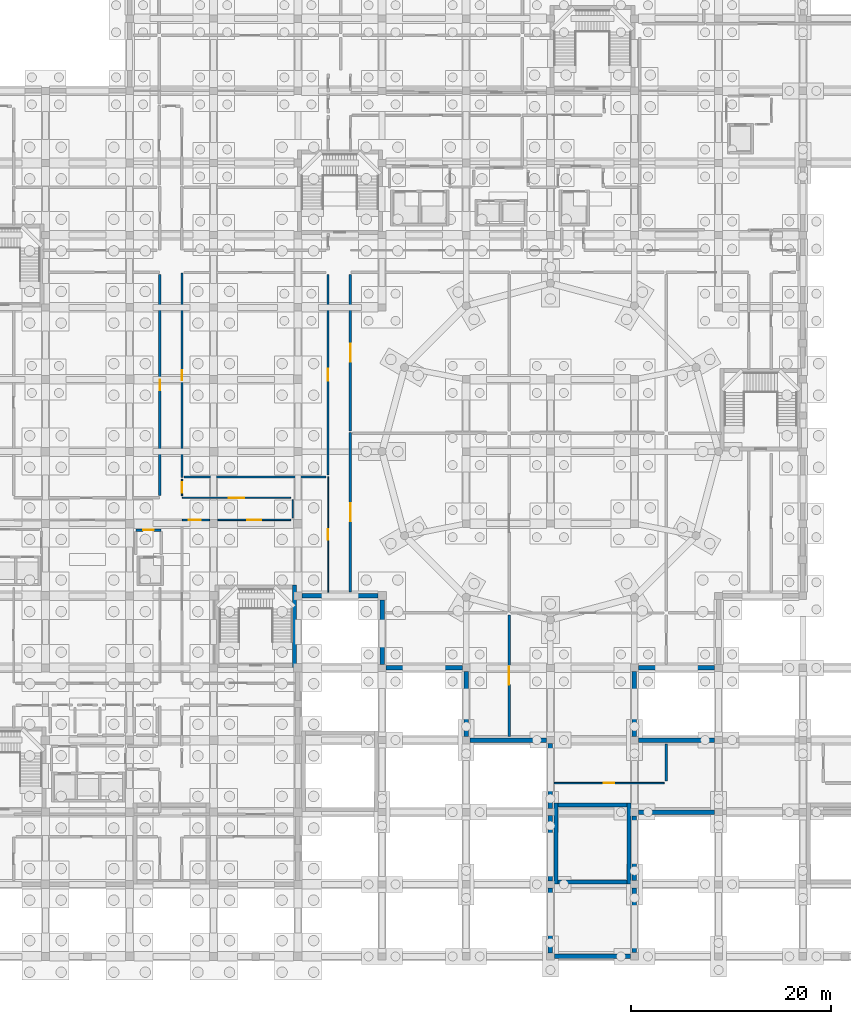
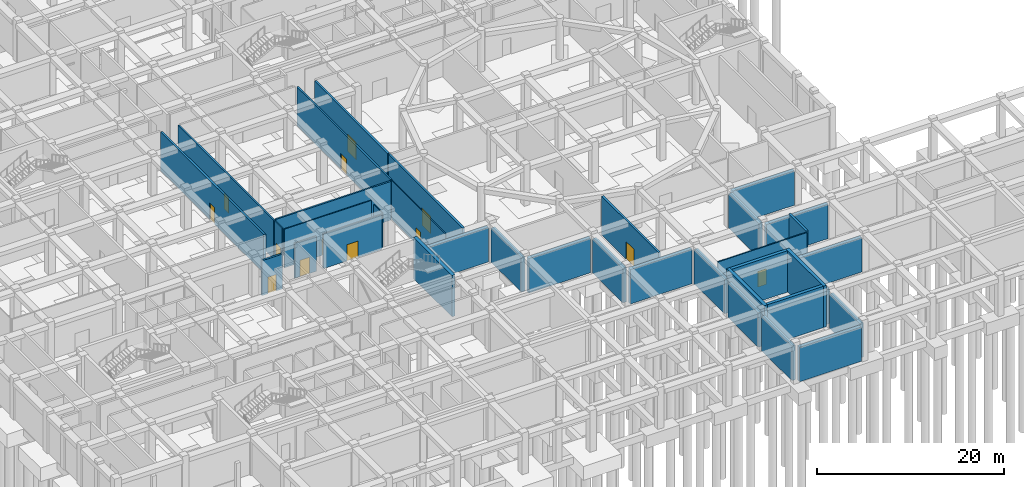
# One storey, part 19 of 32: 36 walls, 13 doors, 13 openings.
"""IFC4 building model written with IfcOpenShell, lengths in metres."""

from ifc_helpers import new_model, si_unit, derived_unit, direction, frame, frame_2d, origin, place, context, subcontext, project, spatial, rectangle, extrude, material, layer, layer_set, type_object, element, fill, save


model = new_model("IFC4")

# Units and contexts
model_context = context("Model", 3, precision=1e-05, world=origin(), true_north=direction((0.0, 1.0)))
body_context = subcontext(model_context, "Body", "Model", "MODEL_VIEW")
ifc_project = project(units=[si_unit("LENGTHUNIT", "METRE"), si_unit("AREAUNIT", "SQUARE_METRE"), si_unit("VOLUMEUNIT", "CUBIC_METRE"), si_unit("PLANEANGLEUNIT", "RADIAN"), si_unit("MASSUNIT", "GRAM", prefix="KILO"), derived_unit("THERMALTRANSMITTANCEUNIT", [(si_unit("POWERUNIT", "WATT"), 1), (si_unit("LENGTHUNIT", "METRE"), -2), (si_unit("THERMODYNAMICTEMPERATUREUNIT", "KELVIN"), -1)])], contexts=[model_context])

# Site, building, storey
site_placement = place(None, origin())
site = spatial("IfcSite", under=ifc_project, at=site_placement, CompositionType="ELEMENT")
building_placement = place(site_placement, origin())
building = spatial("IfcBuilding", under=site, at=building_placement, Name="Veybourne Emporium", CompositionType="ELEMENT")
storey_placement = place(building_placement, frame((0.0, 0.0, -5.39990234375)))
storey = spatial("IfcBuildingStorey", under=building, at=storey_placement, Name="B1", CompositionType="ELEMENT", Elevation=-5.39990234375)

# Walls
ifc_material_1 = material(Name="Concrete C40/50", Category="concrete")
ifc_layer_1 = layer(ifc_material_1, 0.449951171875)
ifc_layer_set_1 = layer_set([ifc_layer_1], Name="Concrete C40/50")
wall_type_1 = type_object("IfcWallType", Name="ExtWall_RW-01", PredefinedType="USERDEFINED", material=ifc_layer_set_1)
wall_1_placement = place(storey_placement, frame((58.375, 36.0, 0.0), z_axis=(0.0, 0.0, 1.0), x_axis=(-1.0, 0.0, 0.0)))
element("IfcWall", 1, at=wall_1_placement, inside=storey, type_object=wall_type_1, Name="Basement perimeter retaining wall 031", ObjectType="RETAININGWALL", PredefinedType="USERDEFINED", context=body_context, shape_type="SweptSolid", body=[
    extrude(rectangle(XDim=7.574951171875, YDim=0.449951171875, at=frame_2d((3.78759765625, 0.0))), origin(), (0.0, 0.0, 1.0), 4.5),
])
wall_2_placement = place(storey_placement, frame((66.824951171875, 28.800048828125, 0.0), z_axis=(0.0, 0.0, 1.0), x_axis=(-1.0, 0.0, 0.0)))
element("IfcWall", 2, at=wall_2_placement, inside=storey, type_object=wall_type_1, Name="Basement perimeter retaining wall 033", ObjectType="RETAININGWALL", PredefinedType="USERDEFINED", context=body_context, shape_type="SweptSolid", body=[
    extrude(rectangle(XDim=7.625, YDim=0.449951171875, at=frame_2d((3.8125, 0.0))), origin(), (0.0, 0.0, 1.0), 4.5),
])
wall_3_placement = place(storey_placement, frame((58.800048828125, 29.14990234375, 0.0), z_axis=(0.0, 0.0, 1.0), x_axis=(0.0, 1.0, 0.0)))
element("IfcWall", 3, at=wall_3_placement, inside=storey, type_object=wall_type_1, Name="Basement perimeter retaining wall 034", ObjectType="RETAININGWALL", PredefinedType="USERDEFINED", context=body_context, shape_type="SweptSolid", body=[
    extrude(rectangle(XDim=6.425048828125, YDim=0.449951171875, at=frame_2d((3.21240234375, 0.0))), origin(), (0.0, 0.0, 1.0), 4.5),
])
wall_4_placement = place(storey_placement, frame((75.199951171875, 21.60009765625, 0.0), z_axis=(0.0, 0.0, 1.0), x_axis=(-1.0, 0.0, 0.0)))
element("IfcWall", 4, at=wall_4_placement, inside=storey, type_object=wall_type_1, Name="Basement perimeter retaining wall 036", ObjectType="RETAININGWALL", PredefinedType="USERDEFINED", context=body_context, shape_type="SweptSolid", body=[
    extrude(rectangle(XDim=7.625, YDim=0.449951171875, at=frame_2d((3.8125, 0.0))), origin(), (0.0, 0.0, 1.0), 4.5),
])
wall_5_placement = place(storey_placement, frame((67.199951171875, 21.97509765625, 0.0), z_axis=(0.0, 0.0, 1.0), x_axis=(0.0, 1.0, 0.0)))
element("IfcWall", 5, at=wall_5_placement, inside=storey, type_object=wall_type_1, Name="Basement perimeter retaining wall 037", ObjectType="RETAININGWALL", PredefinedType="USERDEFINED", context=body_context, shape_type="SweptSolid", body=[
    extrude(rectangle(XDim=6.449951171875, YDim=0.449951171875, at=frame_2d((3.22509765625, 0.0))), origin(), (0.0, 0.0, 1.0), 4.5),
])
wall_6_placement = place(storey_placement, frame((83.625, 0.0, 0.0), z_axis=(0.0, 0.0, 1.0), x_axis=(-1.0, 0.0, 0.0)))
element("IfcWall", 6, at=wall_6_placement, inside=storey, type_object=wall_type_1, Name="Basement perimeter retaining wall 039", ObjectType="RETAININGWALL", PredefinedType="USERDEFINED", context=body_context, shape_type="SweptSolid", body=[
    extrude(rectangle(XDim=7.625, YDim=0.449951171875, at=frame_2d((3.8125, 0.0))), origin(), (0.0, 0.0, 1.0), 4.5),
])
wall_7_placement = place(storey_placement, frame((84.0, 6.824951171875, 0.0), z_axis=(0.0, 0.0, 1.0), x_axis=(0.0, -1.0, 0.0)))
element("IfcWall", 7, at=wall_7_placement, inside=storey, type_object=wall_type_1, Name="Basement perimeter retaining wall 040", ObjectType="RETAININGWALL", PredefinedType="USERDEFINED", context=body_context, shape_type="SweptSolid", body=[
    extrude(rectangle(XDim=6.449951171875, YDim=0.449951171875, at=frame_2d((3.22509765625, 0.0))), origin(), (0.0, 0.0, 1.0), 4.5),
])
wall_8_placement = place(storey_placement, frame((75.60009765625, 0.35009765625, 0.0), z_axis=(0.0, 0.0, 1.0), x_axis=(0.0, 1.0, 0.0)))
element("IfcWall", 8, at=wall_8_placement, inside=storey, type_object=wall_type_1, Name="Basement perimeter retaining wall 041", ObjectType="RETAININGWALL", PredefinedType="USERDEFINED", context=body_context, shape_type="SweptSolid", body=[
    extrude(rectangle(XDim=6.5, YDim=0.449951171875, at=frame_2d((3.25, 0.0))), origin(), (0.0, 0.0, 1.0), 4.5),
])
wall_9_placement = place(storey_placement, frame((84.0, 14.02490234375, 0.0), z_axis=(0.0, 0.0, 1.0), x_axis=(0.0, -1.0, 0.0)))
element("IfcWall", 9, at=wall_9_placement, inside=storey, type_object=wall_type_1, Name="Basement perimeter retaining wall 042", ObjectType="RETAININGWALL", PredefinedType="USERDEFINED", context=body_context, shape_type="SweptSolid", body=[
    extrude(rectangle(XDim=6.449951171875, YDim=0.449951171875, at=frame_2d((3.22509765625, 0.0))), origin(), (0.0, 0.0, 1.0), 4.5),
])
for number, where, z_axis, x_axis, name in (
    (10, (75.60009765625, 7.550048828125, 0.0), (0.0, 0.0, 1.0), (0.0, 1.0, 0.0), "Basement perimeter retaining wall 043"),
    (11, (75.60009765625, 14.75, 0.0), (0.0, 0.0, 1.0), (0.0, 1.0, 0.0), "Basement perimeter retaining wall 044"),
):
    element("IfcWall", number, at=place(storey_placement, frame(where, z_axis=z_axis, x_axis=x_axis)), inside=storey, type_object=wall_type_1, Name=name, ObjectType="RETAININGWALL", PredefinedType="USERDEFINED", context=body_context, shape_type="SweptSolid", body=[
        extrude(rectangle(XDim=6.5, YDim=0.449951171875, at=frame_2d((3.25, 0.0))), origin(), (0.0, 0.0, 1.0), 4.5),
    ])
wall_10_placement = place(storey_placement, frame((84.0, 28.425048828125, 0.0), z_axis=(0.0, 0.0, 1.0), x_axis=(0.0, -1.0, 0.0)))
element("IfcWall", 12, at=wall_10_placement, inside=storey, type_object=wall_type_1, Name="Basement perimeter retaining wall 045", ObjectType="RETAININGWALL", PredefinedType="USERDEFINED", context=body_context, shape_type="SweptSolid", body=[
    extrude(rectangle(XDim=6.449951171875, YDim=0.449951171875, at=frame_2d((3.22509765625, 0.0))), origin(), (0.0, 0.0, 1.0), 4.5),
])
for number, where, z_axis, x_axis, name in (
    (13, (92.0, 14.39990234375, 0.0), (0.0, 0.0, 1.0), (-1.0, 0.0, 0.0), "Basement perimeter retaining wall 047"),
    (14, (84.375, 21.60009765625, 0.0), (0.0, 0.0, 1.0), (1.0, 0.0, 0.0), "Basement perimeter retaining wall 048"),
    (15, (92.0, 28.800048828125, 0.0), (0.0, 0.0, 1.0), (-1.0, 0.0, 0.0), "Basement perimeter retaining wall 049"),
):
    element("IfcWall", number, at=place(storey_placement, frame(where, z_axis=z_axis, x_axis=x_axis)), inside=storey, type_object=wall_type_1, Name=name, ObjectType="RETAININGWALL", PredefinedType="USERDEFINED", context=body_context, shape_type="SweptSolid", body=[
        extrude(rectangle(XDim=7.625, YDim=0.449951171875, at=frame_2d((3.8125, 0.0))), origin(), (0.0, 0.0, 1.0), 4.5),
    ])
ifc_layer_2 = layer(ifc_material_1, 0.39990234375)
ifc_layer_set_2 = layer_set([ifc_layer_2], Name="Concrete C40/50")
wall_type_2 = type_object("IfcWallType", Name="IntWall_CW-01", PredefinedType="SHEAR", material=ifc_layer_set_2)
wall_11_placement = place(storey_placement, frame((50.050048828125, 28.85009765625, 0.0), z_axis=(0.0, 0.0, 1.0), x_axis=(0.0, 1.0, 0.0)))
element("IfcWall", 16, at=wall_11_placement, inside=storey, type_object=wall_type_2, Name="Core stair ST-05 east shear wall (B1)", PredefinedType="SHEAR", context=body_context, shape_type="SweptSolid", body=[
    extrude(rectangle(XDim=8.25, YDim=0.39990234375, at=frame_2d((4.125, 0.0))), origin(), (0.0, 0.0, 1.0), 5.39990234375),
])
for number, where, z_axis, x_axis, name in (
    (17, (83.25, 7.449951171875, 0.0), (0.0, 0.0, 1.0), (-1.0, 0.0, 0.0), "Core stair ST-10 south shear wall (B1)"),
    (18, (76.35009765625, 15.10009765625, 0.0), (0.0, 0.0, 1.0), (1.0, 0.0, 0.0), "Core stair ST-10 north shear wall (B1)"),
):
    element("IfcWall", number, at=place(storey_placement, frame(where, z_axis=z_axis, x_axis=x_axis)), inside=storey, type_object=wall_type_2, Name=name, PredefinedType="SHEAR", context=body_context, shape_type="SweptSolid", body=[
        extrude(rectangle(XDim=6.89990234375, YDim=0.39990234375, at=frame_2d((3.449951171875, 0.0))), origin(), (0.0, 0.0, 1.0), 5.39990234375),
    ])
for number, where, z_axis, x_axis, name in (
    (19, (76.14990234375, 15.300048828125, 0.0), (0.0, 0.0, 1.0), (0.0, -1.0, 0.0), "Core stair ST-10 west shear wall (B1)"),
    (20, (83.449951171875, 7.25, 0.0), (0.0, 0.0, 1.0), (0.0, 1.0, 0.0), "Core stair ST-10 east shear wall (B1)"),
):
    element("IfcWall", number, at=place(storey_placement, frame(where, z_axis=z_axis, x_axis=x_axis)), inside=storey, type_object=wall_type_2, Name=name, PredefinedType="SHEAR", context=body_context, shape_type="SweptSolid", body=[
        extrude(rectangle(XDim=8.050048828125, YDim=0.39990234375, at=frame_2d((4.02490234375, 0.0))), origin(), (0.0, 0.0, 1.0), 5.39990234375),
    ])

# Wall, opening, door
ifc_material_2 = material(Name="Concrete C32/40", Category="concrete")
ifc_layer_3 = layer(ifc_material_2, 0.25)
ifc_layer_set_3 = layer_set([ifc_layer_3], Name="Concrete C32/40")
wall_type_3 = type_object("IfcWallType", Name="IntWall_FW-01", PredefinedType="SOLIDWALL", material=ifc_layer_set_3)
wall_12_placement = place(storey_placement, frame((36.6201171875, 45.989990234375, 0.0), z_axis=(0.0, 0.0, 1.0), x_axis=(0.0, 1.0, 0.0)))
wall_12 = element("IfcWall", 21, at=wall_12_placement, inside=storey, type_object=wall_type_3, Name="B1 interior partition FW-01 #001", PredefinedType="SOLIDWALL", context=body_context, shape_type="SweptSolid", body=[
    extrude(rectangle(XDim=22.070068359375, YDim=0.25, at=frame_2d((11.03515625, 0.0))), origin(), (0.0, 0.0, 1.0), 5.0498046875),
])
opening_1_placement = place(wall_12_placement, frame((10.510009765625, 0.0, 0.0)))
opening_1 = element("IfcOpeningElement", 22, at=opening_1_placement, cuts=wall_12, Name="Opening FD-02", PredefinedType="OPENING", context=body_context, shape_type="SweptSolid", body=[
    extrude(rectangle(XDim=1.050048828125, YDim=2.14990234375, at=frame_2d((0.52490234375, 1.074951171875))), frame((0.0, 0.14501953125, 0.0), z_axis=(0.0, -1.0, 0.0), x_axis=(1.0, 0.0, 0.0)), (0.0, 0.0, 1.0), 0.2900390625),
])
ifc_material_3 = material(Name="Patinated Architectural Bronze", Category="bronze")
door_type_1 = type_object("IfcDoorType", Name="FireDoor_FD-02", OperationType="NOTDEFINED", PredefinedType="DOOR", material=ifc_material_3)
door_1_placement = place(opening_1_placement, origin())
door_1 = element("IfcDoor", 23, at=door_1_placement, inside=storey, type_object=door_type_1, Name="B1 interior door FD-02 (PART-B1-001)", OperationType="SINGLE_SWING_LEFT", OverallHeight=2.14990234375, OverallWidth=1.050048828125, PredefinedType="DOOR", context=body_context, shape_type="SweptSolid", body=[
    extrude(rectangle(XDim=1.050048828125, YDim=2.14990234375, at=frame_2d((0.52490234375, 1.074951171875))), frame((0.0, 0.02490234375, 0.0), z_axis=(0.0, -1.0, 0.0), x_axis=(1.0, 0.0, 0.0)), (0.0, 0.0, 1.0), 0.050048828125),
])
fill(opening_1, door_1)

wall_13_placement = place(storey_placement, frame((55.6298828125, 36.3701171875, 0.0), z_axis=(0.0, 0.0, 1.0), x_axis=(0.0, 1.0, 0.0)))
wall_13 = element("IfcWall", 24, at=wall_13_placement, inside=storey, type_object=wall_type_3, Name="B1 interior partition FW-01 #011", PredefinedType="SOLIDWALL", context=body_context, shape_type="SweptSolid", body=[
    extrude(rectangle(XDim=15.909912109375, YDim=0.25, at=frame_2d((7.955078125, 0.0))), origin(), (0.0, 0.0, 1.0), 5.0498046875),
])
opening_2_placement = place(wall_13_placement, frame((7.054931640625, 0.0, 0.0)))
opening_2 = element("IfcOpeningElement", 25, at=opening_2_placement, cuts=wall_13, Name="Opening FD-03", PredefinedType="OPENING", context=body_context, shape_type="SweptSolid", body=[
    extrude(rectangle(XDim=1.800048828125, YDim=2.300048828125, at=frame_2d((0.89990234375, 1.14990234375))), frame((0.0, 0.14501953125, 0.0), z_axis=(0.0, -1.0, 0.0), x_axis=(1.0, 0.0, 0.0)), (0.0, 0.0, 1.0), 0.2900390625),
])
door_type_2 = type_object("IfcDoorType", Name="FireDoor_FD-03", OperationType="DOUBLE_DOOR_SINGLE_SWING", PredefinedType="DOOR", material=ifc_material_3)
door_2_placement = place(opening_2_placement, origin())
door_2 = element("IfcDoor", 26, at=door_2_placement, inside=storey, type_object=door_type_2, Name="B1 interior door FD-03 (PART-B1-011)", OperationType="DOUBLE_DOOR_SINGLE_SWING", OverallHeight=2.300048828125, OverallWidth=1.800048828125, PredefinedType="DOOR", context=body_context, shape_type="SweptSolid", body=[
    extrude(rectangle(XDim=1.800048828125, YDim=2.300048828125, at=frame_2d((0.89990234375, 1.14990234375))), frame((0.0, 0.02490234375, 0.0), z_axis=(0.0, -1.0, 0.0), x_axis=(1.0, 0.0, 0.0)), (0.0, 0.0, 1.0), 0.050048828125),
])
fill(opening_2, door_2)

wall_14_placement = place(storey_placement, frame((55.6298828125, 52.43994140625, 0.0), z_axis=(0.0, 0.0, 1.0), x_axis=(0.0, 1.0, 0.0)))
wall_14 = element("IfcWall", 27, at=wall_14_placement, inside=storey, type_object=wall_type_3, Name="B1 interior partition FW-01 #014", PredefinedType="SOLIDWALL", context=body_context, shape_type="SweptSolid", body=[
    extrude(rectangle(XDim=15.6201171875, YDim=0.25, at=frame_2d((7.81005859375, 0.0))), origin(), (0.0, 0.0, 1.0), 5.0498046875),
])
opening_3_placement = place(wall_14_placement, frame((6.909912109375, 0.0, 0.0)))
opening_3 = element("IfcOpeningElement", 28, at=opening_3_placement, cuts=wall_14, Name="Opening FD-03", PredefinedType="OPENING", context=body_context, shape_type="SweptSolid", body=[
    extrude(rectangle(XDim=1.800048828125, YDim=2.300048828125, at=frame_2d((0.89990234375, 1.14990234375))), frame((0.0, 0.14501953125, 0.0), z_axis=(0.0, -1.0, 0.0), x_axis=(1.0, 0.0, 0.0)), (0.0, 0.0, 1.0), 0.2900390625),
])
door_3_placement = place(opening_3_placement, origin())
door_3 = element("IfcDoor", 29, at=door_3_placement, inside=storey, type_object=door_type_2, Name="B1 interior door FD-03 (PART-B1-014)", OperationType="DOUBLE_DOOR_SINGLE_SWING", OverallHeight=2.300048828125, OverallWidth=1.800048828125, PredefinedType="DOOR", context=body_context, shape_type="SweptSolid", body=[
    extrude(rectangle(XDim=1.800048828125, YDim=2.300048828125, at=frame_2d((0.89990234375, 1.14990234375))), frame((0.0, 0.02490234375, 0.0), z_axis=(0.0, -1.0, 0.0), x_axis=(1.0, 0.0, 0.0)), (0.0, 0.0, 1.0), 0.050048828125),
])
fill(opening_3, door_3)

wall_15_placement = place(storey_placement, frame((71.47998046875, 21.969970703125, 0.0), z_axis=(0.0, 0.0, 1.0), x_axis=(0.0, 1.0, 0.0)))
wall_15 = element("IfcWall", 30, at=wall_15_placement, inside=storey, type_object=wall_type_3, Name="B1 interior partition FW-01 #156", PredefinedType="SOLIDWALL", context=body_context, shape_type="SweptSolid", body=[
    extrude(rectangle(XDim=12.114990234375, YDim=0.25, at=frame_2d((6.0576171875, 0.0))), origin(), (0.0, 0.0, 1.0), 5.0498046875),
])
opening_4_placement = place(wall_15_placement, frame((5.157470703125, 0.0, 0.0)))
opening_4 = element("IfcOpeningElement", 31, at=opening_4_placement, cuts=wall_15, Name="Opening FD-03", PredefinedType="OPENING", context=body_context, shape_type="SweptSolid", body=[
    extrude(rectangle(XDim=1.800048828125, YDim=2.300048828125, at=frame_2d((0.89990234375, 1.14990234375))), frame((0.0, 0.14501953125, 0.0), z_axis=(0.0, -1.0, 0.0), x_axis=(1.0, 0.0, 0.0)), (0.0, 0.0, 1.0), 0.2900390625),
])
door_4_placement = place(opening_4_placement, origin())
door_4 = element("IfcDoor", 32, at=door_4_placement, inside=storey, type_object=door_type_2, Name="B1 interior door FD-03 (PART-B1-156)", OperationType="DOUBLE_DOOR_SINGLE_SWING", OverallHeight=2.300048828125, OverallWidth=1.800048828125, PredefinedType="DOOR", context=body_context, shape_type="SweptSolid", body=[
    extrude(rectangle(XDim=1.800048828125, YDim=2.300048828125, at=frame_2d((0.89990234375, 1.14990234375))), frame((0.0, 0.02490234375, 0.0), z_axis=(0.0, -1.0, 0.0), x_axis=(1.0, 0.0, 0.0)), (0.0, 0.0, 1.0), 0.050048828125),
])
fill(opening_4, door_4)

# Wall
wall_16_placement = place(storey_placement, frame((87.169921875, 17.51708984375, 0.0), z_axis=(0.0, 0.0, 1.0), x_axis=(0.0, 1.0, 0.0)))
element("IfcWall", 33, at=wall_16_placement, inside=storey, type_object=wall_type_3, Name="B1 interior partition FW-01 #172", PredefinedType="SOLIDWALL", context=body_context, shape_type="SweptSolid", body=[
    extrude(rectangle(XDim=3.712890625, YDim=0.25, at=frame_2d((1.8564453125, 0.0))), origin(), (0.0, 0.0, 1.0), 5.0498046875),
])

# Wall, opening, door
ifc_layer_4 = layer(ifc_material_2, 0.219970703125)
ifc_layer_set_4 = layer_set([ifc_layer_4], Name="Concrete C32/40")
wall_type_4 = type_object("IfcWallType", Name="IntWall_FW-02", PredefinedType="SOLIDWALL", material=ifc_layer_set_4)
wall_17_placement = place(storey_placement, frame((34.219970703125, 42.550048828125, 0.0), z_axis=(0.0, 0.0, 1.0), x_axis=(1.0, 0.0, 0.0)))
wall_17 = element("IfcWall", 34, at=wall_17_placement, inside=storey, type_object=wall_type_4, Name="Firefighting lobby C3 fire wall N (B1)", PredefinedType="SOLIDWALL", context=body_context, shape_type="SweptSolid", body=[
    extrude(rectangle(XDim=2.5400390625, YDim=0.219970703125, at=frame_2d((1.27001953125, 0.0))), origin(), (0.0, 0.0, 1.0), 4.5498046875),
])
opening_5_placement = place(wall_17_placement, frame((0.7451171875, 0.0, 0.0)))
opening_5 = element("IfcOpeningElement", 35, at=opening_5_placement, cuts=wall_17, Name="Opening FD-02", PredefinedType="OPENING", context=body_context, shape_type="SweptSolid", body=[
    extrude(rectangle(XDim=1.050048828125, YDim=2.14990234375, at=frame_2d((0.52490234375, 1.074951171875))), frame((0.0, 0.1298828125, 0.0), z_axis=(0.0, -1.0, 0.0), x_axis=(1.0, 0.0, 0.0)), (0.0, 0.0, 1.0), 0.260009765625),
])
door_5_placement = place(opening_5_placement, origin())
door_5 = element("IfcDoor", 36, at=door_5_placement, inside=storey, type_object=door_type_1, Name="Firefighting lobby C3 FD60S door N (B1)", OperationType="SINGLE_SWING_RIGHT", OverallHeight=2.14990234375, OverallWidth=1.050048828125, PredefinedType="DOOR", context=body_context, shape_type="SweptSolid", body=[
    extrude(rectangle(XDim=1.050048828125, YDim=2.14990234375, at=frame_2d((0.52490234375, 1.074951171875))), frame((0.0, 0.02490234375, 0.0), z_axis=(0.0, -1.0, 0.0), x_axis=(1.0, 0.0, 0.0)), (0.0, 0.0, 1.0), 0.050048828125),
])
fill(opening_5, door_5)

ifc_material_4 = material(Name="Gypsum Acoustic Board", Category="gypsum")
ifc_layer_5 = layer(ifc_material_4, 0.179931640625)
ifc_layer_set_5 = layer_set([ifc_layer_5], Name="Gypsum Acoustic Board")
wall_type_5 = type_object("IfcWallType", Name="IntWall_IW-01", PredefinedType="PARTITIONING", material=ifc_layer_set_5)
wall_18_placement = place(storey_placement, frame((38.8798828125, 43.570068359375, 0.0), z_axis=(0.0, 0.0, 1.0), x_axis=(1.0, 0.0, 0.0)))
wall_18 = element("IfcWall", 37, at=wall_18_placement, inside=storey, type_object=wall_type_5, Name="B1 interior partition IW-01 #045", PredefinedType="PARTITIONING", context=body_context, shape_type="SweptSolid", body=[
    extrude(rectangle(XDim=2.7001953125, YDim=0.179931640625, at=frame_2d((1.35009765625, 0.0))), origin(), (0.0, 0.0, 1.0), 4.5498046875),
])
opening_6_placement = place(wall_18_placement, frame((0.6298828125, 0.0, 0.0)))
opening_6 = element("IfcOpeningElement", 38, at=opening_6_placement, cuts=wall_18, Name="Opening D-09", PredefinedType="OPENING", context=body_context, shape_type="SweptSolid", body=[
    extrude(rectangle(XDim=1.199951171875, YDim=2.1298828125, at=frame_2d((0.60009765625, 1.06494140625))), frame((0.0, 0.10986328125, 0.0), z_axis=(0.0, -1.0, 0.0), x_axis=(1.0, 0.0, 0.0)), (0.0, 0.0, 1.0), 0.219970703125),
])
ifc_material_5 = material(Name="European Oak Veneer and Bronze", Category="wood")
door_type_3 = type_object("IfcDoorType", Name="IntDoor_D-09", OperationType="NOTDEFINED", PredefinedType="DOOR", material=ifc_material_5)
door_6_placement = place(opening_6_placement, origin())
door_6 = element("IfcDoor", 39, at=door_6_placement, inside=storey, type_object=door_type_3, Name="B1 interior door D-09 (PART-B1-045)", OperationType="SINGLE_SWING_RIGHT", OverallHeight=2.1298828125, OverallWidth=1.199951171875, PredefinedType="DOOR", context=body_context, shape_type="SweptSolid", body=[
    extrude(rectangle(XDim=1.199951171875, YDim=2.1298828125, at=frame_2d((0.60009765625, 1.06494140625))), frame((0.0, 0.02490234375, 0.0), z_axis=(0.0, -1.0, 0.0), x_axis=(1.0, 0.0, 0.0)), (0.0, 0.0, 1.0), 0.050048828125),
])
fill(opening_6, door_6)

ifc_layer_6 = layer(ifc_material_4, 0.14990234375)
ifc_layer_set_6 = layer_set([ifc_layer_6], Name="Gypsum Acoustic Board")
wall_type_6 = type_object("IfcWallType", Name="IntWall_IW-02", PredefinedType="PARTITIONING", material=ifc_layer_set_6)
wall_19_placement = place(storey_placement, frame((42.419921875, 43.570068359375, 0.0), z_axis=(0.0, 0.0, 1.0), x_axis=(1.0, 0.0, 0.0)))
wall_19 = element("IfcWall", 40, at=wall_19_placement, inside=storey, type_object=wall_type_6, Name="B1 interior partition IW-02 #046", PredefinedType="PARTITIONING", context=body_context, shape_type="SweptSolid", body=[
    extrude(rectangle(XDim=7.25, YDim=0.14990234375, at=frame_2d((3.625, 0.0))), origin(), (0.0, 0.0, 1.0), 4.5498046875),
])
opening_7_placement = place(wall_19_placement, frame((2.945068359375, 0.0, 0.0)))
opening_7 = element("IfcOpeningElement", 41, at=opening_7_placement, cuts=wall_19, Name="Opening D-10", PredefinedType="OPENING", context=body_context, shape_type="SweptSolid", body=[
    extrude(rectangle(XDim=1.360107421875, YDim=2.1298828125, at=frame_2d((0.68017578125, 1.06494140625))), frame((0.0, 0.094970703125, 0.0), z_axis=(0.0, -1.0, 0.0), x_axis=(1.0, 0.0, 0.0)), (0.0, 0.0, 1.0), 0.18994140625),
])
door_type_4 = type_object("IfcDoorType", Name="IntDoor_D-10", OperationType="NOTDEFINED", PredefinedType="DOOR", material=ifc_material_5)
door_7_placement = place(opening_7_placement, origin())
door_7 = element("IfcDoor", 42, at=door_7_placement, inside=storey, type_object=door_type_4, Name="B1 interior door D-10 (PART-B1-046)", OperationType="SINGLE_SWING_LEFT", OverallHeight=2.1298828125, OverallWidth=1.360107421875, PredefinedType="DOOR", context=body_context, shape_type="SweptSolid", body=[
    extrude(rectangle(XDim=1.360107421875, YDim=2.1298828125, at=frame_2d((0.68017578125, 1.06494140625))), frame((0.0, 0.02490234375, 0.0), z_axis=(0.0, -1.0, 0.0), x_axis=(1.0, 0.0, 0.0)), (0.0, 0.0, 1.0), 0.050048828125),
])
fill(opening_7, door_7)

wall_20_placement = place(storey_placement, frame((75.969970703125, 17.306884765625, 0.0), z_axis=(0.0, 0.0, 1.0), x_axis=(1.0, 0.0, 0.0)))
wall_20 = element("IfcWall", 43, at=wall_20_placement, inside=storey, type_object=wall_type_6, Name="B1 interior partition IW-02 #160", PredefinedType="PARTITIONING", context=body_context, shape_type="SweptSolid", body=[
    extrude(rectangle(XDim=10.989990234375, YDim=0.14990234375, at=frame_2d((5.4951171875, 0.0))), origin(), (0.0, 0.0, 1.0), 5.0498046875),
])
opening_8_placement = place(wall_20_placement, frame((4.97509765625, 0.0, 0.0)))
opening_8 = element("IfcOpeningElement", 44, at=opening_8_placement, cuts=wall_20, Name="Opening D-02", PredefinedType="OPENING", context=body_context, shape_type="SweptSolid", body=[
    extrude(rectangle(XDim=1.0400390625, YDim=2.050048828125, at=frame_2d((0.52001953125, 1.02490234375))), frame((0.0, 0.094970703125, 0.0), z_axis=(0.0, -1.0, 0.0), x_axis=(1.0, 0.0, 0.0)), (0.0, 0.0, 1.0), 0.18994140625),
])
door_type_5 = type_object("IfcDoorType", Name="IntDoor_D-02", OperationType="NOTDEFINED", PredefinedType="DOOR", material=ifc_material_5)
door_8_placement = place(opening_8_placement, origin())
door_8 = element("IfcDoor", 45, at=door_8_placement, inside=storey, type_object=door_type_5, Name="B1 interior door D-02 (PART-B1-160)", OperationType="SINGLE_SWING_LEFT", OverallHeight=2.050048828125, OverallWidth=1.0400390625, PredefinedType="DOOR", context=body_context, shape_type="SweptSolid", body=[
    extrude(rectangle(XDim=1.0400390625, YDim=2.050048828125, at=frame_2d((0.52001953125, 1.02490234375))), frame((0.0, 0.02490234375, 0.0), z_axis=(0.0, -1.0, 0.0), x_axis=(1.0, 0.0, 0.0)), (0.0, 0.0, 1.0), 0.050048828125),
])
fill(opening_8, door_8)

ifc_layer_7 = layer(ifc_material_4, 0.1201171875)
ifc_layer_set_7 = layer_set([ifc_layer_7], Name="Gypsum Acoustic Board")
wall_type_7 = type_object("IfcWallType", Name="IntWall_IW-03", PredefinedType="PARTITIONING", material=ifc_layer_set_7)
wall_21_placement = place(storey_placement, frame((53.419921875, 36.3701171875, 0.0), z_axis=(0.0, 0.0, 1.0), x_axis=(0.0, 1.0, 0.0)))
wall_21 = element("IfcWall", 46, at=wall_21_placement, inside=storey, type_object=wall_type_7, Name="B1 interior partition IW-03 #038", PredefinedType="PARTITIONING", context=body_context, shape_type="SweptSolid", body=[
    extrude(rectangle(XDim=11.534912109375, YDim=0.1201171875, at=frame_2d((5.767578125, 0.0))), origin(), (0.0, 0.0, 1.0), 5.0498046875),
])
opening_9_placement = place(wall_21_placement, frame((5.24755859375, 0.0, 0.0)))
opening_9 = element("IfcOpeningElement", 47, at=opening_9_placement, cuts=wall_21, Name="Opening D-02", PredefinedType="OPENING", context=body_context, shape_type="SweptSolid", body=[
    extrude(rectangle(XDim=1.0400390625, YDim=2.050048828125, at=frame_2d((0.52001953125, 1.02490234375))), frame((0.0, 0.080078125, 0.0), z_axis=(0.0, -1.0, 0.0), x_axis=(1.0, 0.0, 0.0)), (0.0, 0.0, 1.0), 0.16015625),
])
door_9_placement = place(opening_9_placement, origin())
door_9 = element("IfcDoor", 48, at=door_9_placement, inside=storey, type_object=door_type_5, Name="B1 interior door D-02 (PART-B1-038)", OperationType="SINGLE_SWING_LEFT", OverallHeight=2.050048828125, OverallWidth=1.0400390625, PredefinedType="DOOR", context=body_context, shape_type="SweptSolid", body=[
    extrude(rectangle(XDim=1.0400390625, YDim=2.050048828125, at=frame_2d((0.52001953125, 1.02490234375))), frame((0.0, 0.02490234375, 0.0), z_axis=(0.0, -1.0, 0.0), x_axis=(1.0, 0.0, 0.0)), (0.0, 0.0, 1.0), 0.050048828125),
])
fill(opening_9, door_9)

wall_22_placement = place(storey_placement, frame((38.8798828125, 45.780029296875, 0.0), z_axis=(0.0, 0.0, 1.0), x_axis=(1.0, 0.0, 0.0)))
wall_22 = element("IfcWall", 49, at=wall_22_placement, inside=storey, type_object=wall_type_7, Name="B1 interior partition IW-03 #047", PredefinedType="PARTITIONING", context=body_context, shape_type="SweptSolid", body=[
    extrude(rectangle(XDim=10.7900390625, YDim=0.1201171875, at=frame_2d((5.39501953125, 0.0))), origin(), (0.0, 0.0, 1.0), 5.0498046875),
])
opening_10_placement = place(wall_22_placement, frame((4.635009765625, 0.0, 0.0)))
opening_10 = element("IfcOpeningElement", 50, at=opening_10_placement, cuts=wall_22, Name="Opening D-11", PredefinedType="OPENING", context=body_context, shape_type="SweptSolid", body=[
    extrude(rectangle(XDim=1.52001953125, YDim=2.1298828125, at=frame_2d((0.760009765625, 1.06494140625))), frame((0.0, 0.080078125, 0.0), z_axis=(0.0, -1.0, 0.0), x_axis=(1.0, 0.0, 0.0)), (0.0, 0.0, 1.0), 0.16015625),
])
door_type_6 = type_object("IfcDoorType", Name="IntDoor_D-11", OperationType="NOTDEFINED", PredefinedType="DOOR", material=ifc_material_5)
door_10_placement = place(opening_10_placement, origin())
door_10 = element("IfcDoor", 51, at=door_10_placement, inside=storey, type_object=door_type_6, Name="B1 interior door D-11 (PART-B1-047)", OperationType="SINGLE_SWING_RIGHT", OverallHeight=2.1298828125, OverallWidth=1.52001953125, PredefinedType="DOOR", context=body_context, shape_type="SweptSolid", body=[
    extrude(rectangle(XDim=1.52001953125, YDim=2.1298828125, at=frame_2d((0.760009765625, 1.06494140625))), frame((0.0, 0.02490234375, 0.0), z_axis=(0.0, -1.0, 0.0), x_axis=(1.0, 0.0, 0.0)), (0.0, 0.0, 1.0), 0.050048828125),
])
fill(opening_10, door_10)

# Wall
wall_23_placement = place(storey_placement, frame((49.8798828125, 43.780029296875, 0.0), z_axis=(0.0, 0.0, 1.0), x_axis=(0.0, 1.0, 0.0)))
element("IfcWall", 52, at=wall_23_placement, inside=storey, type_object=wall_type_7, Name="B1 interior partition IW-03 #122", PredefinedType="PARTITIONING", context=body_context, shape_type="SweptSolid", body=[
    extrude(rectangle(XDim=1.7900390625, YDim=0.1201171875, at=frame_2d((0.89501953125, 0.0))), origin(), (0.0, 0.0, 1.0), 4.5498046875),
])

# Wall, opening, door
wall_24_placement = place(storey_placement, frame((38.830078125, 45.989990234375, 0.0), z_axis=(0.0, 0.0, 1.0), x_axis=(0.0, 1.0, 0.0)))
wall_24 = element("IfcWall", 53, at=wall_24_placement, inside=storey, type_object=wall_type_7, Name="B1 interior partition IW-03 #128", PredefinedType="PARTITIONING", context=body_context, shape_type="SweptSolid", body=[
    extrude(rectangle(XDim=1.655029296875, YDim=0.1201171875, at=frame_2d((0.82763671875, 0.0))), origin(), (0.0, 0.0, 1.0), 5.0498046875),
])
opening_11_placement = place(wall_24_placement, frame((0.3076171875, 0.0, 0.0)))
opening_11 = element("IfcOpeningElement", 54, at=opening_11_placement, cuts=wall_24, Name="Opening D-20", PredefinedType="OPENING", context=body_context, shape_type="SweptSolid", body=[
    extrude(rectangle(XDim=1.0400390625, YDim=2.2900390625, at=frame_2d((0.52001953125, 1.14501953125))), frame((0.0, 0.080078125, 0.0), z_axis=(0.0, -1.0, 0.0), x_axis=(1.0, 0.0, 0.0)), (0.0, 0.0, 1.0), 0.16015625),
])
door_type_7 = type_object("IfcDoorType", Name="IntDoor_D-20", OperationType="NOTDEFINED", PredefinedType="DOOR", material=ifc_material_5)
door_11_placement = place(opening_11_placement, origin())
door_11 = element("IfcDoor", 55, at=door_11_placement, inside=storey, type_object=door_type_7, Name="B1 interior door D-20 (PART-B1-128)", OperationType="SINGLE_SWING_RIGHT", OverallHeight=2.2900390625, OverallWidth=1.0400390625, PredefinedType="DOOR", context=body_context, shape_type="SweptSolid", body=[
    extrude(rectangle(XDim=1.0400390625, YDim=2.2900390625, at=frame_2d((0.52001953125, 1.14501953125))), frame((0.0, 0.02490234375, 0.0), z_axis=(0.0, -1.0, 0.0), x_axis=(1.0, 0.0, 0.0)), (0.0, 0.0, 1.0), 0.050048828125),
])
fill(opening_11, door_11)

ifc_layer_8 = layer(ifc_material_4, 0.199951171875)
ifc_layer_set_8 = layer_set([ifc_layer_8], Name="Gypsum Acoustic Board")
wall_type_8 = type_object("IfcWallType", Name="IntWall_IW-04", PredefinedType="PLUMBINGWALL", material=ifc_layer_set_8)
wall_25_placement = place(storey_placement, frame((38.830078125, 47.804931640625, 0.0), z_axis=(0.0, 0.0, 1.0), x_axis=(0.0, 1.0, 0.0)))
wall_25 = element("IfcWall", 56, at=wall_25_placement, inside=storey, type_object=wall_type_8, Name="B1 interior partition IW-04 #002", PredefinedType="PLUMBINGWALL", context=body_context, shape_type="SweptSolid", body=[
    extrude(rectangle(XDim=20.4150390625, YDim=0.199951171875, at=frame_2d((10.20751953125, 0.0))), origin(), (0.0, 0.0, 1.0), 5.0498046875),
])
opening_12_placement = place(wall_25_placement, frame((9.6875, 0.0, 0.0)))
opening_12 = element("IfcOpeningElement", 57, at=opening_12_placement, cuts=wall_25, Name="Opening D-02", PredefinedType="OPENING", context=body_context, shape_type="SweptSolid", body=[
    extrude(rectangle(XDim=1.0400390625, YDim=2.050048828125, at=frame_2d((0.52001953125, 1.02490234375))), frame((0.0, 0.1201171875, 0.0), z_axis=(0.0, -1.0, 0.0), x_axis=(1.0, 0.0, 0.0)), (0.0, 0.0, 1.0), 0.239990234375),
])
door_12_placement = place(opening_12_placement, origin())
door_12 = element("IfcDoor", 58, at=door_12_placement, inside=storey, type_object=door_type_5, Name="B1 interior door D-02 (PART-B1-002)", OperationType="SINGLE_SWING_RIGHT", OverallHeight=2.050048828125, OverallWidth=1.0400390625, PredefinedType="DOOR", context=body_context, shape_type="SweptSolid", body=[
    extrude(rectangle(XDim=1.0400390625, YDim=2.050048828125, at=frame_2d((0.52001953125, 1.02490234375))), frame((0.0, 0.02490234375, 0.0), z_axis=(0.0, -1.0, 0.0), x_axis=(1.0, 0.0, 0.0)), (0.0, 0.0, 1.0), 0.050048828125),
])
fill(opening_12, door_12)

wall_26_placement = place(storey_placement, frame((53.419921875, 48.06494140625, 0.0), z_axis=(0.0, 0.0, 1.0), x_axis=(0.0, 1.0, 0.0)))
wall_26 = element("IfcWall", 59, at=wall_26_placement, inside=storey, type_object=wall_type_8, Name="B1 interior partition IW-04 #003", PredefinedType="PLUMBINGWALL", context=body_context, shape_type="SweptSolid", body=[
    extrude(rectangle(XDim=19.9951171875, YDim=0.199951171875, at=frame_2d((9.99755859375, 0.0))), origin(), (0.0, 0.0, 1.0), 5.0498046875),
])
opening_13_placement = place(wall_26_placement, frame((9.3974609375, 0.0, 0.0)))
opening_13 = element("IfcOpeningElement", 60, at=opening_13_placement, cuts=wall_26, Name="Opening D-03", PredefinedType="OPENING", context=body_context, shape_type="SweptSolid", body=[
    extrude(rectangle(XDim=1.199951171875, YDim=2.050048828125, at=frame_2d((0.60009765625, 1.02490234375))), frame((0.0, 0.1201171875, 0.0), z_axis=(0.0, -1.0, 0.0), x_axis=(1.0, 0.0, 0.0)), (0.0, 0.0, 1.0), 0.239990234375),
])
door_type_8 = type_object("IfcDoorType", Name="IntDoor_D-03", OperationType="NOTDEFINED", PredefinedType="DOOR", material=ifc_material_5)
door_13_placement = place(opening_13_placement, origin())
door_13 = element("IfcDoor", 61, at=door_13_placement, inside=storey, type_object=door_type_8, Name="B1 interior door D-03 (PART-B1-003)", OperationType="SINGLE_SWING_LEFT", OverallHeight=2.050048828125, OverallWidth=1.199951171875, PredefinedType="DOOR", context=body_context, shape_type="SweptSolid", body=[
    extrude(rectangle(XDim=1.199951171875, YDim=2.050048828125, at=frame_2d((0.60009765625, 1.02490234375))), frame((0.0, 0.02490234375, 0.0), z_axis=(0.0, -1.0, 0.0), x_axis=(1.0, 0.0, 0.0)), (0.0, 0.0, 1.0), 0.050048828125),
])
fill(opening_13, door_13)

# Wall
wall_27_placement = place(storey_placement, frame((39.0400390625, 47.85498046875, 0.0), z_axis=(0.0, 0.0, 1.0), x_axis=(1.0, 0.0, 0.0)))
element("IfcWall", 62, at=wall_27_placement, inside=storey, type_object=wall_type_8, Name="B1 interior partition IW-04 #153", PredefinedType="PLUMBINGWALL", context=body_context, shape_type="SweptSolid", body=[
    extrude(rectangle(XDim=14.169921875, YDim=0.199951171875, at=frame_2d((7.0849609375, 0.0))), origin(), (0.0, 0.0, 1.0), 5.0498046875),
])

save(model, "model.ifc")
